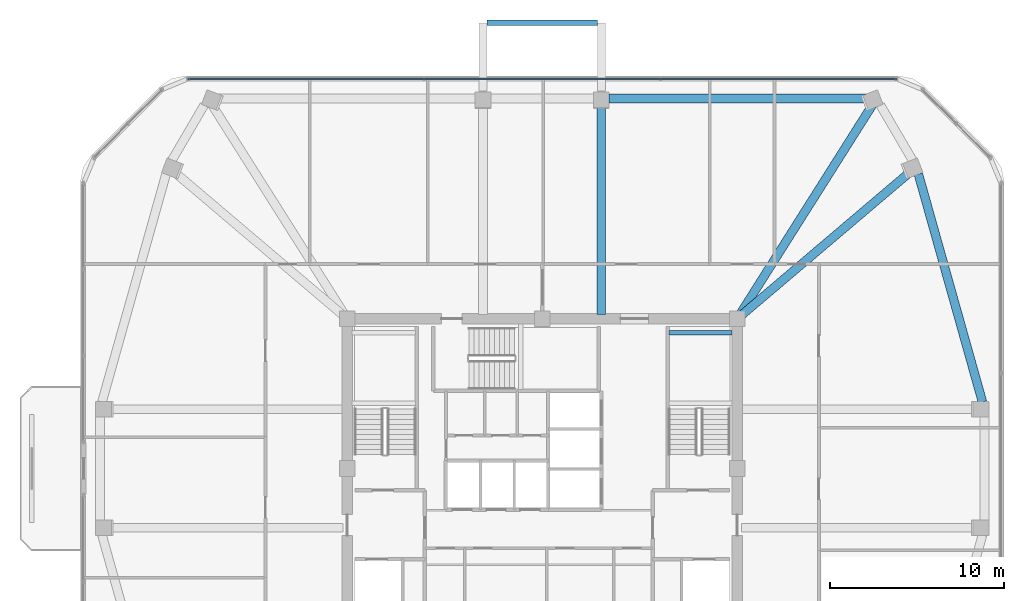
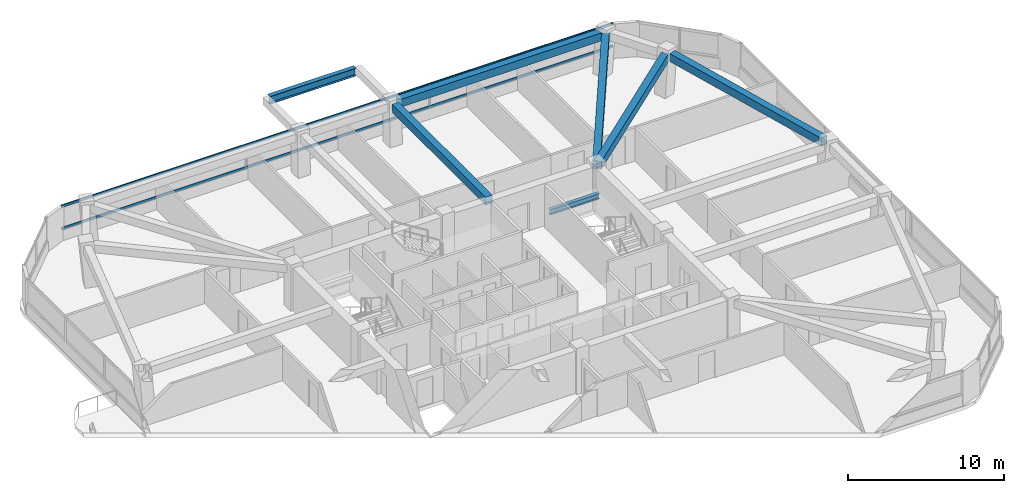
# One storey, part 5 of 13: 7 beams, 2 members, 1 element without a shape of its own.
"""IFC4 building model written with IfcOpenShell, lengths in metres."""

from ifc_helpers import new_model, si_unit, derived_unit, direction, frame, origin, origin_2d, place, context, subcontext, project, spatial, rectangle, i_section, extrude, material, material_profile, profile_set, type_object, element, aggregate, save


model = new_model("IFC4")

# Units and contexts
model_context = context("Model", 3, precision=1e-05, world=origin(), true_north=direction((0.0, 1.0)))
body_context = subcontext(model_context, "Body", "Model", "MODEL_VIEW")
ifc_project = project(units=[si_unit("LENGTHUNIT", "METRE"), si_unit("AREAUNIT", "SQUARE_METRE"), si_unit("VOLUMEUNIT", "CUBIC_METRE"), si_unit("PLANEANGLEUNIT", "RADIAN"), si_unit("MASSUNIT", "GRAM", prefix="KILO"), derived_unit("THERMALTRANSMITTANCEUNIT", [(si_unit("POWERUNIT", "WATT"), 1), (si_unit("LENGTHUNIT", "METRE"), -2), (si_unit("THERMODYNAMICTEMPERATUREUNIT", "KELVIN"), -1)])], contexts=[model_context])

# Site, building, storey
site_placement = place(None, origin())
site = spatial("IfcSite", under=ifc_project, at=site_placement, CompositionType="ELEMENT")
building_placement = place(site_placement, origin())
building = spatial("IfcBuilding", under=site, at=building_placement, Name="Koralith Skygarden Medical Center", CompositionType="ELEMENT")
storey_placement = place(building_placement, frame((0.0, 0.0, 214.3798828125)))
storey = spatial("IfcBuildingStorey", under=building, at=storey_placement, Name="L55", CompositionType="ELEMENT", Elevation=214.3798828125)

# Curtain wall, members
ifc_material_1 = material(Name="Clear Laminated Glass", Category="glass")
curtain_wall_type = type_object("IfcCurtainWallType", Name="CW-5 Zone 4 Flare Biophilic Curtain Wall", PredefinedType="NOTDEFINED", material=ifc_material_1)
curtain_wall_placement = place(storey_placement, origin())
curtain_wall = element("IfcCurtainWall", 1, at=curtain_wall_placement, inside=storey, type_object=curtain_wall_type, Name="Curtain Wall CW-L55-N", PredefinedType="NOTDEFINED")
ifc_material_2 = material(Name="Aluminium 6063-T6", Category="aluminium")
ifc_material_profile_1 = material_profile(ifc_material_2, rectangle(XDim=0.074951171875, YDim=0.197998046875, at=origin_2d()), Name="TRN75X198")
ifc_profile_set_1 = profile_set([ifc_material_profile_1], Name="Aluminium 6063-T6")
member_type = type_object("IfcMemberType", Name="CW-5 Thermal Transom 75x198", PredefinedType="USERDEFINED", material=ifc_profile_set_1)
member_1_placement = place(storey_placement, frame((57.382080078125, 48.2880859375, 0.900146484375), z_axis=(-1.0, 0.0, 0.0), x_axis=(0.0, -1.0, 0.0)))
member_1 = element("IfcMember", 2, at=member_1_placement, type_object=member_type, Name="CW-L55-N Transom 1", ObjectType="TRANSOM", PredefinedType="USERDEFINED", context=body_context, shape_type="SweptSolid", body=[
    extrude(rectangle(XDim=0.074951171875, YDim=0.197998046875, at=origin_2d()), origin(), (0.0, 0.0, 1.0), 40.76416015625),
])
member_2_placement = place(storey_placement, frame((57.382080078125, 48.2880859375, 2.64013671875), z_axis=(-1.0, 0.0, 0.0), x_axis=(0.0, -1.0, 0.0)))
member_2 = element("IfcMember", 3, at=member_2_placement, type_object=member_type, Name="CW-L55-N Transom 2", ObjectType="TRANSOM", PredefinedType="USERDEFINED", context=body_context, shape_type="SweptSolid", body=[
    extrude(rectangle(XDim=0.074951171875, YDim=0.197998046875, at=origin_2d()), origin(), (0.0, 0.0, 1.0), 40.76416015625),
])
aggregate(curtain_wall, [member_1, member_2])

# Beams
ifc_material_3 = material(Name="Steel ASTM A992 Grade 50", Category="steel")
ifc_material_profile_2 = material_profile(ifc_material_3, i_section(OverallWidth=0.326904296875, OverallDepth=0.6220703125, WebThickness=0.015380859375, FlangeThickness=0.0244140625, at=origin_2d()), Name="W24X131")
ifc_profile_set_2 = profile_set([ifc_material_profile_2], Name="Steel ASTM A992 Grade 50")
beam_type_1 = type_object("IfcBeamType", Name="Cantilever Tie Beam W24X131", PredefinedType="BEAM", material=ifc_profile_set_2)
beam_1_placement = place(storey_placement, frame((33.820068359375, 51.513916015625, 3.029052734375), z_axis=(1.0, 0.0, 0.0), x_axis=(0.0, 1.0, 0.0)))
element("IfcBeam", 4, at=beam_1_placement, inside=storey, type_object=beam_type_1, Name="L56 N Balcony Tip Tie Beam", PredefinedType="BEAM", context=body_context, shape_type="SweptSolid", body=[
    extrude(i_section(OverallWidth=0.326904296875, OverallDepth=0.6220703125, WebThickness=0.015380859375, FlangeThickness=0.0244140625, at=origin_2d()), origin(), (0.0, 0.0, 1.0), 6.35986328125),
])
ifc_material_profile_3 = material_profile(ifc_material_3, i_section(OverallWidth=0.260009765625, OverallDepth=0.4150390625, WebThickness=0.010009765625, FlangeThickness=0.016845703125, at=origin_2d()), Name="W16X67")
ifc_profile_set_3 = profile_set([ifc_material_profile_3], Name="Steel ASTM A992 Grade 50")
beam_type_2 = type_object("IfcBeamType", Name="Clinical Floor Joist W16X67", PredefinedType="JOIST", material=ifc_profile_set_3)
beam_2_placement = place(storey_placement, frame((44.280029296875, 33.699951171875, 1.39306640625), z_axis=(1.0, 0.0, 0.0), x_axis=(0.0, 1.0, 0.0)))
element("IfcBeam", 5, at=beam_2_placement, inside=storey, type_object=beam_type_2, Name="L55 Stair ST2 Half-Landing Support Beam 1B", PredefinedType="JOIST", context=body_context, shape_type="SweptSolid", body=[
    extrude(i_section(OverallWidth=0.260009765625, OverallDepth=0.4150390625, WebThickness=0.010009765625, FlangeThickness=0.016845703125, at=origin_2d()), origin(), (0.0, 0.0, 1.0), 3.639892578125),
])
ifc_material_4 = material(Name="Concrete C45/55", Category="concrete")
ifc_material_profile_4 = material_profile(ifc_material_4, rectangle(XDim=0.5, YDim=0.6201171875, at=origin_2d()), Name="RCB500X620")
ifc_profile_set_4 = profile_set([ifc_material_profile_4], Name="Concrete C45/55")
beam_type_3 = type_object("IfcBeamType", Name="Upper Radial Collector Beam RCB500X620", PredefinedType="BEAM", material=ifc_profile_set_4)
beam_3_placement = place(storey_placement, frame((48.39111328125, 34.662109375, 3.010009765625), z_axis=(0.762329179737, 0.647189478995, 0.0), x_axis=(-0.647189478995, 0.762329179737, 0.0)))
element("IfcBeam", 6, at=beam_3_placement, inside=storey, type_object=beam_type_3, Name="L55 Radial Collector Beam RB-10", PredefinedType="BEAM", context=body_context, shape_type="SweptSolid", body=[
    extrude(rectangle(XDim=0.5, YDim=0.6201171875, at=origin_2d()), origin(), (0.0, 0.0, 1.0), 12.81982421875),
])
beam_4_placement = place(storey_placement, frame((48.333984375, 34.7109375, 3.010009765625), z_axis=(0.53443183761, 0.845211577624, 0.0), x_axis=(-0.845211577624, 0.53443183761, 0.0)))
element("IfcBeam", 7, at=beam_4_placement, inside=storey, type_object=beam_type_3, Name="L55 Radial Collector Beam RB-11", PredefinedType="BEAM", context=body_context, shape_type="SweptSolid", body=[
    extrude(rectangle(XDim=0.5, YDim=0.6201171875, at=origin_2d()), origin(), (0.0, 0.0, 1.0), 14.29345703125),
])
beam_5_placement = place(storey_placement, frame((40.39990234375, 34.75, 3.010009765625), z_axis=(0.0, 1.0, 0.0), x_axis=(-1.0, 0.0, 0.0)))
element("IfcBeam", 8, at=beam_5_placement, inside=storey, type_object=beam_type_3, Name="L55 Radial Collector Beam RB-12", PredefinedType="BEAM", context=body_context, shape_type="SweptSolid", body=[
    extrude(rectangle(XDim=0.5, YDim=0.6201171875, at=origin_2d()), origin(), (0.0, 0.0, 1.0), 11.97412109375),
])
ifc_material_profile_5 = material_profile(ifc_material_4, rectangle(XDim=0.5, YDim=0.6201171875, at=origin_2d()), Name="RCB500X620")
ifc_profile_set_5 = profile_set([ifc_material_profile_5], Name="Concrete C45/55")
beam_type_4 = type_object("IfcBeamType", Name="Zone 4-5 Spandrel Beam RCB500X620", PredefinedType="SPANDREL", material=ifc_profile_set_5)
beam_6_placement = place(storey_placement, frame((62.300048828125, 29.72412109375, 3.010009765625), z_axis=(-0.270670216723, 0.962672132026, 0.0), x_axis=(-0.962672132026, -0.270670216723, 0.0)))
element("IfcBeam", 9, at=beam_6_placement, inside=storey, type_object=beam_type_4, Name="L55 Perimeter Spandrel Beam SP-09", PredefinedType="SPANDREL", context=body_context, shape_type="SweptSolid", body=[
    extrude(rectangle(XDim=0.5, YDim=0.6201171875, at=origin_2d()), origin(), (0.0, 0.0, 1.0), 13.603759765625),
])
beam_7_placement = place(storey_placement, frame((55.76806640625, 47.1640625, 3.010009765625), z_axis=(-1.0, 0.0, 0.0), x_axis=(0.0, -1.0, 0.0)))
element("IfcBeam", 10, at=beam_7_placement, inside=storey, type_object=beam_type_4, Name="L55 Perimeter Spandrel Beam SP-11", PredefinedType="SPANDREL", context=body_context, shape_type="SweptSolid", body=[
    extrude(rectangle(XDim=0.5, YDim=0.6201171875, at=origin_2d()), origin(), (0.0, 0.0, 1.0), 14.927978515625),
])

save(model, "model.ifc")
